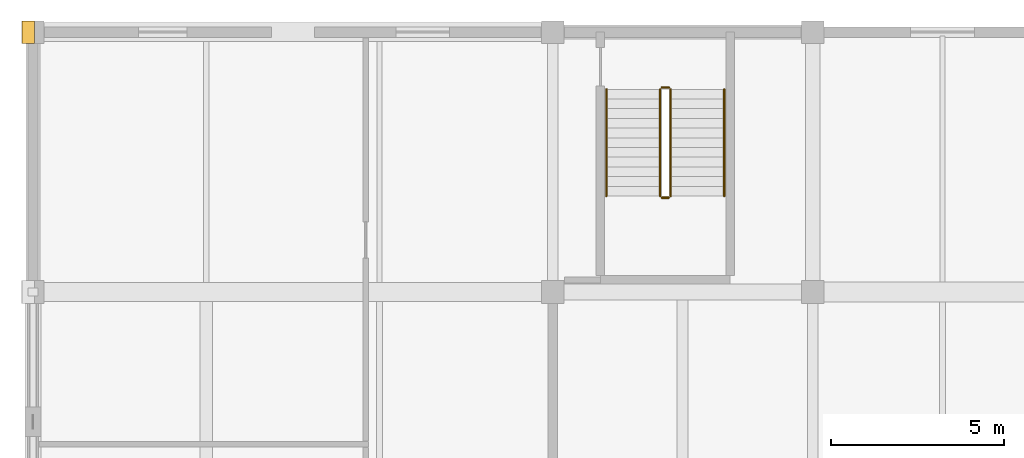
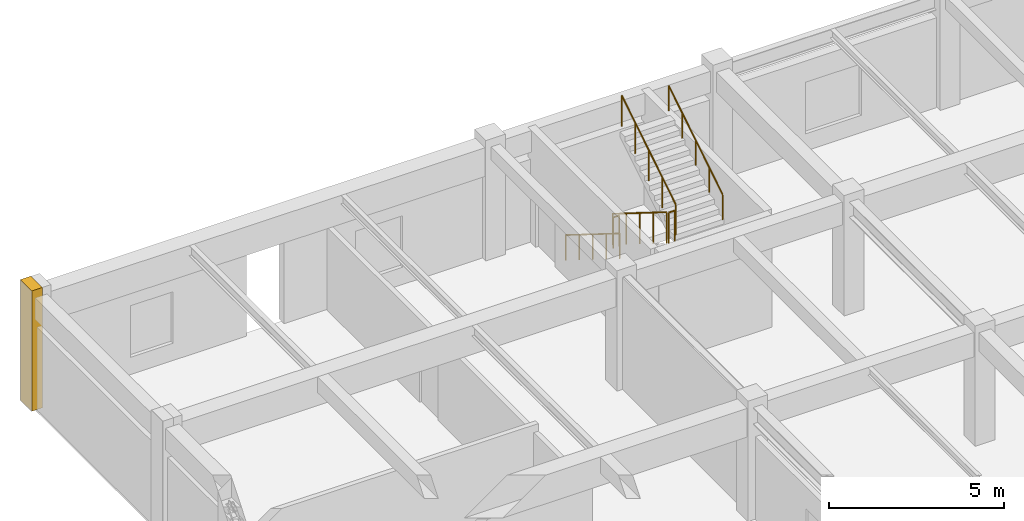
# One storey, part 126 of 132: 6 railings, 1 covering.
"""IFC4 building model written with IfcOpenShell, lengths in metres."""

from ifc_helpers import new_model, si_unit, direction, frame, origin, origin_2d, place, context, subcontext, project, spatial, rectangle, circle, extrude, material, layer, layer_set, type_object, element, save


model = new_model("IFC4")

# Units and contexts
model_context = context("Model", 3, precision=1e-05, world=origin(), true_north=direction((0.0, 1.0)))
body_context = subcontext(model_context, "Body", "Model", "MODEL_VIEW")
ifc_project = project(units=[si_unit("LENGTHUNIT", "METRE"), si_unit("AREAUNIT", "SQUARE_METRE"), si_unit("VOLUMEUNIT", "CUBIC_METRE"), si_unit("PLANEANGLEUNIT", "RADIAN"), si_unit("MASSUNIT", "GRAM", prefix="KILO")], contexts=[model_context])

# Site, building, storey
site_placement = place(None, origin())
site = spatial("IfcSite", under=ifc_project, at=site_placement, CompositionType="ELEMENT")
building_placement = place(site_placement, origin())
building = spatial("IfcBuilding", under=site, at=building_placement, Name="Qasida Concert Hall", CompositionType="ELEMENT")
storey_placement = place(building_placement, frame((0.0, 0.0, 4.800048828125)))
storey = spatial("IfcBuildingStorey", under=building, at=storey_placement, Name="L01", CompositionType="ELEMENT", Elevation=4.800048828125)

# Covering
ifc_material_1 = material(Name="Projecting fluted Lebanese limestone Art Deco pilaster", Category="masonry")
ifc_layer_1 = layer(ifc_material_1, 0.35009765625, Name="Projecting fluted Lebanese limestone Art Deco pilaster")
ifc_layer_set_1 = layer_set([ifc_layer_1], Name="Projecting fluted Lebanese limestone Art Deco pilaster")
covering_type = type_object("IfcCoveringType", Name="CV-PIL-650", PredefinedType="CLADDING", material=ifc_layer_set_1)
covering_placement = place(storey_placement, frame((-0.135009765625, 112.5, 0.0), z_axis=(0.0, 0.0, 1.0), x_axis=(1.0, 0.0, 0.0)))
element("IfcCovering", 1, at=covering_placement, inside=storey, type_object=covering_type, Name="L01 fluted limestone pilaster 0301", PredefinedType="CLADDING", context=body_context, shape_type="SweptSolid", body=[
    extrude(rectangle(XDim=0.35009765625, YDim=0.64990234375, at=origin_2d()), origin(), (0.0, 0.0, 1.0), 4.199951171875),
])

# Railings
ifc_material_2 = material(Name="Patinated architectural bronze and laminated glass infill", Category="glass")
ifc_layer_2 = layer(ifc_material_2, 0.080078125, Name="Patinated architectural bronze and laminated glass infill")
ifc_layer_set_2 = layer_set([ifc_layer_2], Name="Patinated architectural bronze and laminated glass infill")
railing_type_1 = type_object("IfcRailingType", Name="RL-GRD-1100", PredefinedType="GUARDRAIL", material=ifc_layer_set_2)
railing_1_placement = place(storey_placement, frame((18.10009765625, 110.85009765625, 0.175048828125)))
element("IfcRailing", 2, at=railing_1_placement, inside=storey, type_object=railing_type_1, Name="L01 ST-06 stair guard 1", PredefinedType="GUARDRAIL", context=body_context, shape_type="SweptSolid", body=[
    extrude(circle(Radius=0.02392578125, at=origin_2d()), frame((0.0, 0.0, 1.076171875), z_axis=(0.0, -0.848028513186, 0.529950602248), x_axis=(1.0, 0.0, 0.0)), (0.0, 0.0, 1.0), 3.632080078125),
    extrude(circle(Radius=0.02099609375, at=origin_2d()), origin(), (0.0, 0.0, 1.0), 1.052001953125),
    extrude(circle(Radius=0.02099609375, at=origin_2d()), frame((0.0, -0.77001953125, 0.481201171875)), (0.0, 0.0, 1.0), 1.052001953125),
    extrude(circle(Radius=0.02099609375, at=origin_2d()), frame((0.0, -1.5400390625, 0.96240234375)), (0.0, 0.0, 1.0), 1.052001953125),
    extrude(circle(Radius=0.02099609375, at=origin_2d()), frame((0.0, -2.31005859375, 1.443603515625)), (0.0, 0.0, 1.0), 1.052001953125),
    extrude(circle(Radius=0.02099609375, at=origin_2d()), frame((0.0, -3.080078125, 1.9248046875)), (0.0, 0.0, 1.0), 1.052001953125),
])
railing_2_placement = place(storey_placement, frame((18.14990234375, 107.719970703125, 2.099853515625)))
element("IfcRailing", 3, at=railing_2_placement, inside=storey, type_object=railing_type_1, Name="L01 ST-06 stair guard 2", PredefinedType="GUARDRAIL", context=body_context, shape_type="SweptSolid", body=[
    extrude(circle(Radius=0.02392578125, at=origin_2d()), frame((0.0, 0.0, 1.076171875), z_axis=(1.0, 0.0, 0.0), x_axis=(0.0, 1.0, 0.0)), (0.0, 0.0, 1.0), 0.2001953125),
    extrude(circle(Radius=0.02099609375, at=origin_2d()), origin(), (0.0, 0.0, 1.0), 1.052001953125),
    extrude(circle(Radius=0.02099609375, at=origin_2d()), frame((0.2001953125, 0.0, 0.0)), (0.0, 0.0, 1.0), 1.052001953125),
])
railing_3_placement = place(storey_placement, frame((18.39990234375, 107.77001953125, 2.27490234375)))
element("IfcRailing", 4, at=railing_3_placement, inside=storey, type_object=railing_type_1, Name="L01 ST-06 stair guard 3", PredefinedType="GUARDRAIL", context=body_context, shape_type="SweptSolid", body=[
    extrude(circle(Radius=0.02392578125, at=origin_2d()), frame((0.0, 0.0, 1.076171875), z_axis=(0.0, 0.847998304005, 0.529998940003), x_axis=(-1.0, 0.0, 0.0)), (0.0, 0.0, 1.0), 3.632080078125),
    extrude(circle(Radius=0.02099609375, at=origin_2d()), origin(), (0.0, 0.0, 1.0), 1.052001953125),
    extrude(circle(Radius=0.02099609375, at=origin_2d()), frame((0.0, 0.77001953125, 0.481201171875)), (0.0, 0.0, 1.0), 1.052001953125),
    extrude(circle(Radius=0.02099609375, at=origin_2d()), frame((0.0, 1.5400390625, 0.96240234375)), (0.0, 0.0, 1.0), 1.052001953125),
    extrude(circle(Radius=0.02099609375, at=origin_2d()), frame((0.0, 2.31005859375, 1.44384765625)), (0.0, 0.0, 1.0), 1.052001953125),
    extrude(circle(Radius=0.02099609375, at=origin_2d()), frame((0.0, 3.080078125, 1.925048828125)), (0.0, 0.0, 1.0), 1.052001953125),
])
railing_4_placement = place(storey_placement, frame((18.14990234375, 110.89990234375, 0.0)))
element("IfcRailing", 5, at=railing_4_placement, inside=storey, type_object=railing_type_1, Name="L01 ST-06 stair guard 4", PredefinedType="GUARDRAIL", context=body_context, shape_type="SweptSolid", body=[
    extrude(circle(Radius=0.02392578125, at=origin_2d()), frame((0.0, 0.0, 1.076171875), z_axis=(1.0, 0.0, 0.0), x_axis=(0.0, 1.0, 0.0)), (0.0, 0.0, 1.0), 0.2001953125),
    extrude(circle(Radius=0.02099609375, at=origin_2d()), origin(), (0.0, 0.0, 1.0), 1.052001953125),
    extrude(circle(Radius=0.02099609375, at=origin_2d()), frame((0.2001953125, 0.0, 0.0)), (0.0, 0.0, 1.0), 1.052001953125),
])
ifc_material_3 = material(Name="Patinated tubular architectural bronze", Category="steel")
ifc_layer_3 = layer(ifc_material_3, 0.050048828125, Name="Patinated tubular architectural bronze")
ifc_layer_set_3 = layer_set([ifc_layer_3], Name="Patinated tubular architectural bronze")
railing_type_2 = type_object("IfcRailingType", Name="RL-HND-900", PredefinedType="HANDRAIL", material=ifc_layer_set_3)
railing_5_placement = place(storey_placement, frame((16.550048828125, 110.85009765625, 0.175048828125)))
element("IfcRailing", 6, at=railing_5_placement, inside=storey, type_object=railing_type_2, Name="L01 ST-06 stair handrail 1", PredefinedType="HANDRAIL", context=body_context, shape_type="SweptSolid", body=[
    extrude(circle(Radius=0.02392578125, at=origin_2d()), frame((0.0, 0.0, 0.8759765625), z_axis=(0.0, -0.848028513186, 0.529950602248), x_axis=(1.0, 0.0, 0.0)), (0.0, 0.0, 1.0), 3.632080078125),
    extrude(circle(Radius=0.02099609375, at=origin_2d()), origin(), (0.0, 0.0, 1.0), 0.851806640625),
    extrude(circle(Radius=0.02099609375, at=origin_2d()), frame((0.0, -0.77001953125, 0.481201171875)), (0.0, 0.0, 1.0), 0.851806640625),
    extrude(circle(Radius=0.02099609375, at=origin_2d()), frame((0.0, -1.5400390625, 0.96240234375)), (0.0, 0.0, 1.0), 0.851806640625),
    extrude(circle(Radius=0.02099609375, at=origin_2d()), frame((0.0, -2.31005859375, 1.443603515625)), (0.0, 0.0, 1.0), 0.851806640625),
    extrude(circle(Radius=0.02099609375, at=origin_2d()), frame((0.0, -3.080078125, 1.9248046875)), (0.0, 0.0, 1.0), 0.851806640625),
])
railing_6_placement = place(storey_placement, frame((19.949951171875, 107.77001953125, 2.27490234375)))
element("IfcRailing", 7, at=railing_6_placement, inside=storey, type_object=railing_type_2, Name="L01 ST-06 stair handrail 2", PredefinedType="HANDRAIL", context=body_context, shape_type="SweptSolid", body=[
    extrude(circle(Radius=0.02392578125, at=origin_2d()), frame((0.0, 0.0, 0.8759765625), z_axis=(0.0, 0.847998304005, 0.529998940003), x_axis=(-1.0, 0.0, 0.0)), (0.0, 0.0, 1.0), 3.632080078125),
    extrude(circle(Radius=0.02099609375, at=origin_2d()), origin(), (0.0, 0.0, 1.0), 0.851806640625),
    extrude(circle(Radius=0.02099609375, at=origin_2d()), frame((0.0, 0.77001953125, 0.481201171875)), (0.0, 0.0, 1.0), 0.851806640625),
    extrude(circle(Radius=0.02099609375, at=origin_2d()), frame((0.0, 1.5400390625, 0.96240234375)), (0.0, 0.0, 1.0), 0.851806640625),
    extrude(circle(Radius=0.02099609375, at=origin_2d()), frame((0.0, 2.31005859375, 1.44384765625)), (0.0, 0.0, 1.0), 0.851806640625),
    extrude(circle(Radius=0.02099609375, at=origin_2d()), frame((0.0, 3.080078125, 1.925048828125)), (0.0, 0.0, 1.0), 0.851806640625),
])

save(model, "model.ifc")
